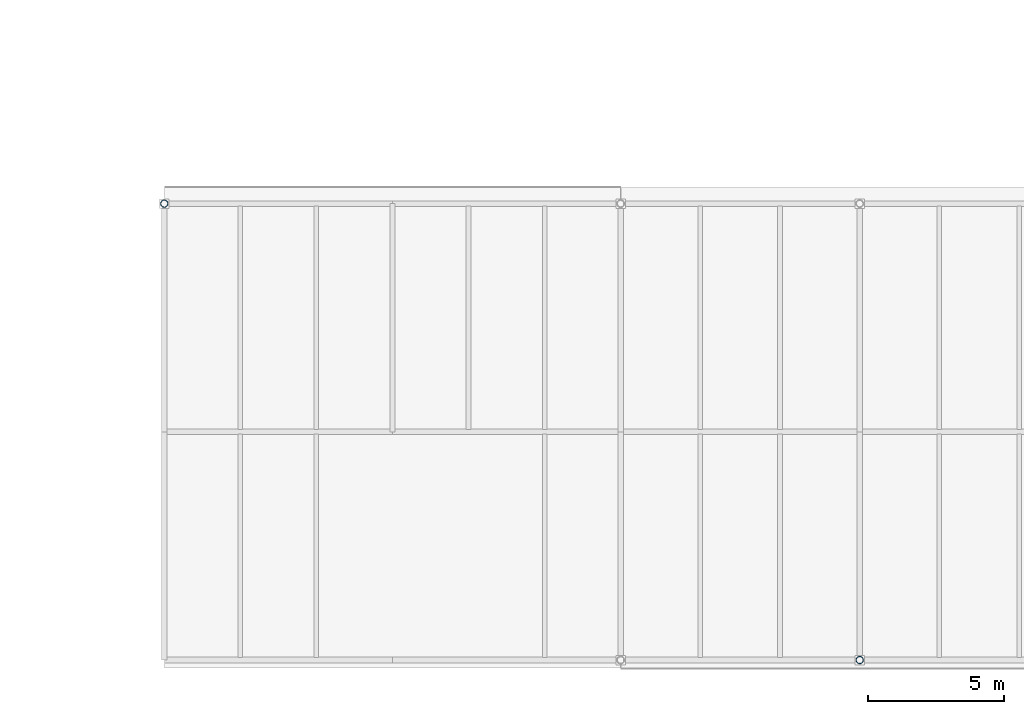
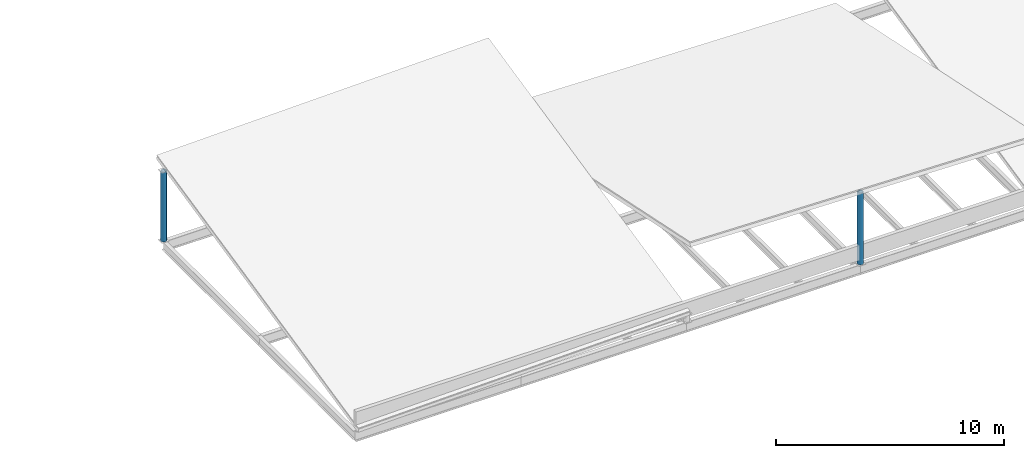
# One storey, part 1 of 50: 2 columns.
"""IFC4 building model written with IfcOpenShell, lengths in metres."""

from ifc_helpers import new_model, si_unit, direction, frame, origin, origin_2d, place, context, subcontext, project, spatial, hollow_circle, extrude, material, material_profile, profile_set, type_object, element, save


model = new_model("IFC4")

# Units and contexts
model_context = context("Model", 3, precision=1e-05, world=origin(), true_north=direction((0.0, 1.0)))
body_context = subcontext(model_context, "Body", "Model", "MODEL_VIEW")
ifc_project = project(units=[si_unit("LENGTHUNIT", "METRE"), si_unit("AREAUNIT", "SQUARE_METRE"), si_unit("VOLUMEUNIT", "CUBIC_METRE"), si_unit("PLANEANGLEUNIT", "RADIAN"), si_unit("MASSUNIT", "GRAM", prefix="KILO")], contexts=[model_context])

# Site, building, storey
site_placement = place(None, origin())
site = spatial("IfcSite", under=ifc_project, at=site_placement, CompositionType="ELEMENT")
building_placement = place(site_placement, origin())
building = spatial("IfcBuilding", under=site, at=building_placement, Name="Cinderway Yard Community Centre", CompositionType="ELEMENT")
storey_placement = place(building_placement, frame((0.0, 0.0, 12.89990234375)))
storey = spatial("IfcBuildingStorey", under=building, at=storey_placement, Name="L03", CompositionType="ELEMENT", Elevation=12.89990234375)

# Columns
ifc_material = material(Name="Steel S355", Category="steel")
ifc_material_profile = material_profile(ifc_material, hollow_circle(Radius=0.136474609375, WallThickness=0.012451171875, at=origin_2d()), Name="Steel S355")
ifc_profile_set = profile_set([ifc_material_profile], Name="Steel S355")
column_type = type_object("IfcColumnType", Name="STR-POST-CHS273", PredefinedType="PILASTER", material=ifc_profile_set)
column_1_placement = place(storey_placement, frame((58.39990234375, 22.800048828125, 0.0), z_axis=(0.0, 0.0, 1.0), x_axis=(1.0, 0.0, 0.0)))
element("IfcColumn", 1, at=column_1_placement, inside=storey, type_object=column_type, Name="V3 roof strut post FOLD1-3", PredefinedType="PILASTER", context=body_context, shape_type="SweptSolid", body=[
    extrude(hollow_circle(Radius=0.136474609375, WallThickness=0.012451171875, at=origin_2d()), origin(), (0.0, 0.0, 1.0), 3.75),
])
column_2_placement = place(storey_placement, frame((84.0, 6.0, 0.0), z_axis=(0.0, 0.0, 1.0), x_axis=(1.0, 0.0, 0.0)))
element("IfcColumn", 2, at=column_2_placement, inside=storey, type_object=column_type, Name="V3 roof strut post FOLD2-1", PredefinedType="PILASTER", context=body_context, shape_type="SweptSolid", body=[
    extrude(hollow_circle(Radius=0.136474609375, WallThickness=0.012451171875, at=origin_2d()), origin(), (0.0, 0.0, 1.0), 3.85009765625),
])

save(model, "model.ifc")
